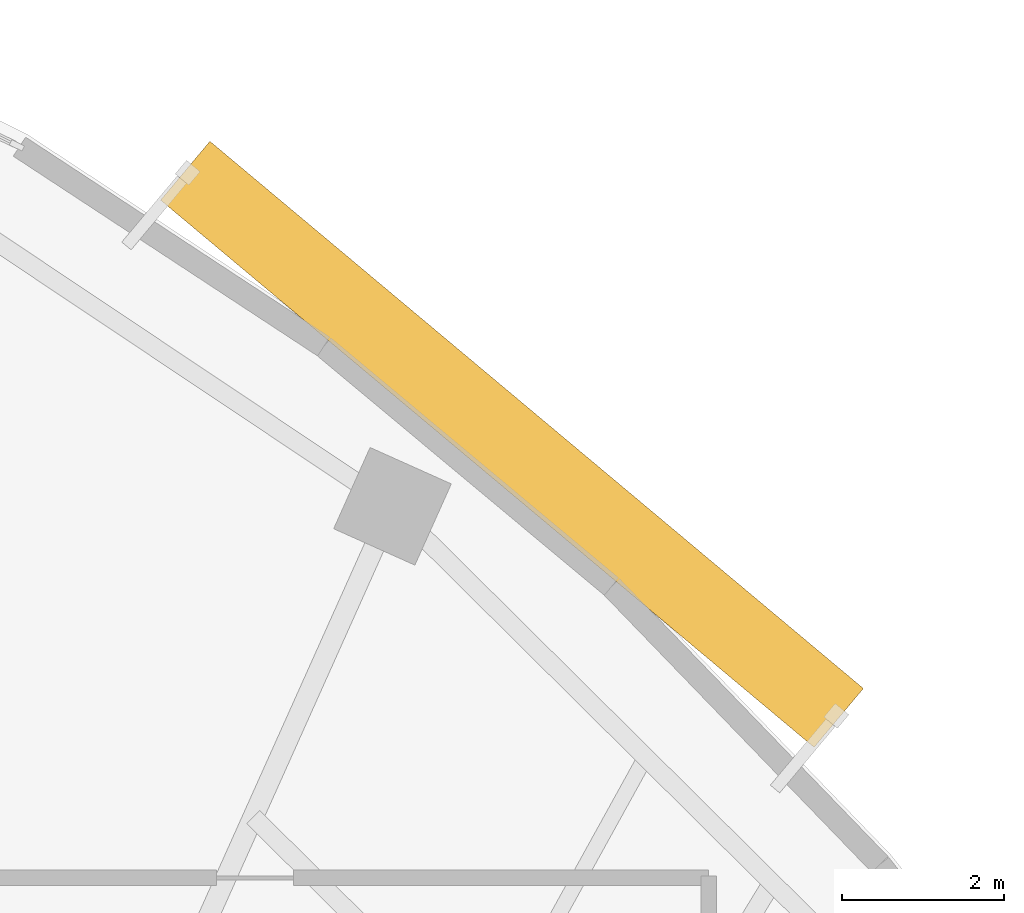
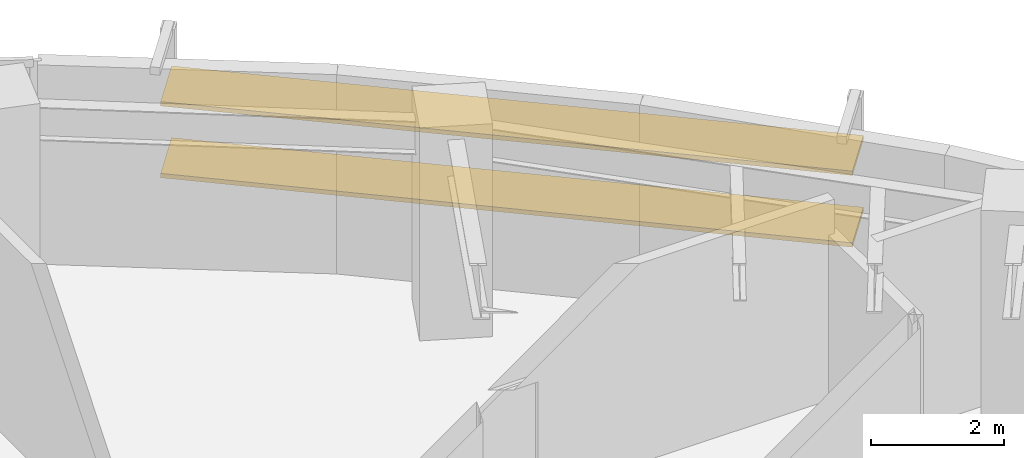
# One storey, part 13 of 13: 2 shading devices.
"""IFC4 building model written with IfcOpenShell, lengths in metres."""

from ifc_helpers import new_model, si_unit, direction, frame, origin, origin_2d, place, context, subcontext, project, spatial, rectangle, extrude, source, transform, mapped, material, material_profile, profile_set, type_object, element, save


model = new_model("IFC4")

# Units and contexts
model_context = context("Model", 3, precision=1e-05, world=origin(), true_north=direction((0.0, 1.0)))
body_context = subcontext(model_context, "Body", "Model", "MODEL_VIEW")
ifc_project = project(units=[si_unit("LENGTHUNIT", "METRE"), si_unit("AREAUNIT", "SQUARE_METRE"), si_unit("VOLUMEUNIT", "CUBIC_METRE"), si_unit("PLANEANGLEUNIT", "RADIAN"), si_unit("MASSUNIT", "GRAM", prefix="KILO")], contexts=[model_context])

# Site, building, storey
site_placement = place(None, origin())
site = spatial("IfcSite", under=ifc_project, at=site_placement, CompositionType="ELEMENT")
building_placement = place(site_placement, origin())
building = spatial("IfcBuilding", under=site, at=building_placement, Name="Breltana Convention Tower", CompositionType="ELEMENT")
storey_placement = place(building_placement, frame((0.0, 0.0, 158.39990234375)))
storey = spatial("IfcBuildingStorey", under=building, at=storey_placement, Name="L38", CompositionType="ELEMENT", Elevation=158.39990234375)

# Shading devices
ifc_material = material(Name="Limestone Warm Buff Honed", Category="masonry")
ifc_material_profile = material_profile(ifc_material, rectangle(XDim=0.949951171875, YDim=0.080078125, at=origin_2d()), Name="STN-LVR-950X80")
ifc_profile_set = profile_set([ifc_material_profile], Name="Limestone Warm Buff Honed")
shading_device_type = type_object("IfcShadingDeviceType", Name="SHD-OUTER-SKIN-LIMESTONE-950", PredefinedType="JALOUSIE", material=ifc_profile_set)
shared_shape = source(origin(), body_context, "Body", "SweptSolid", [
    extrude(rectangle(XDim=0.949951171875, YDim=0.080078125, at=origin_2d()), origin(), (0.0, 0.0, 1.0), 10.538330078125),
])
for number, where, z_axis, x_axis, name in (
    (1, (66.34814453125, 72.782958984375, 1.314208984375), (0.766705694316, -0.641998736996, 0.0), (0.641998736996, 0.766705694316, 0.0), "L38 outer skin warm limestone louvre 2.1"),
    (2, (66.34814453125, 72.782958984375, 2.628173828125), (0.766705694316, -0.641998736996, 0.0), (0.641998736996, 0.766705694316, 0.0), "L38 outer skin warm limestone louvre 2.2"),
):
    element("IfcShadingDevice", number, at=place(storey_placement, frame(where, z_axis=z_axis, x_axis=x_axis)), inside=storey, type_object=shading_device_type, Name=name, PredefinedType="JALOUSIE", context=body_context, shape_type="MappedRepresentation", body=[
        mapped(shared_shape, transform((0.0, 0.0, 0.0), scale=1.0)),
    ])

save(model, "model.ifc")
